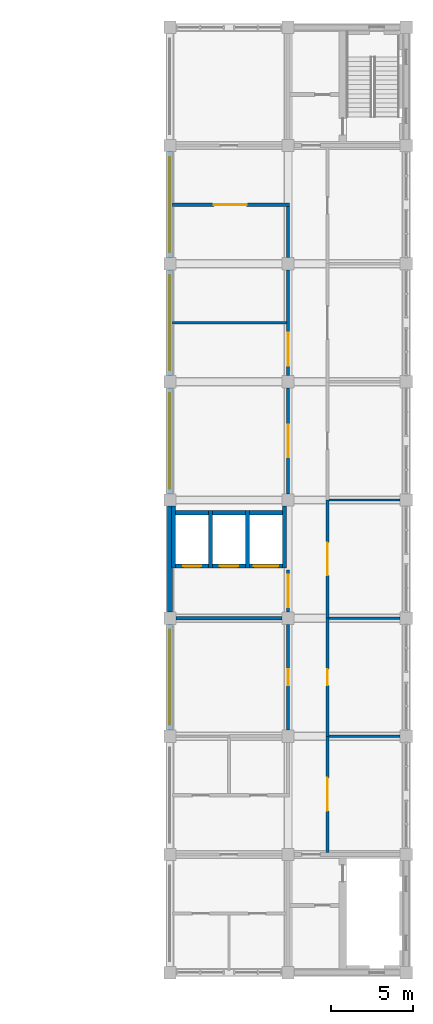
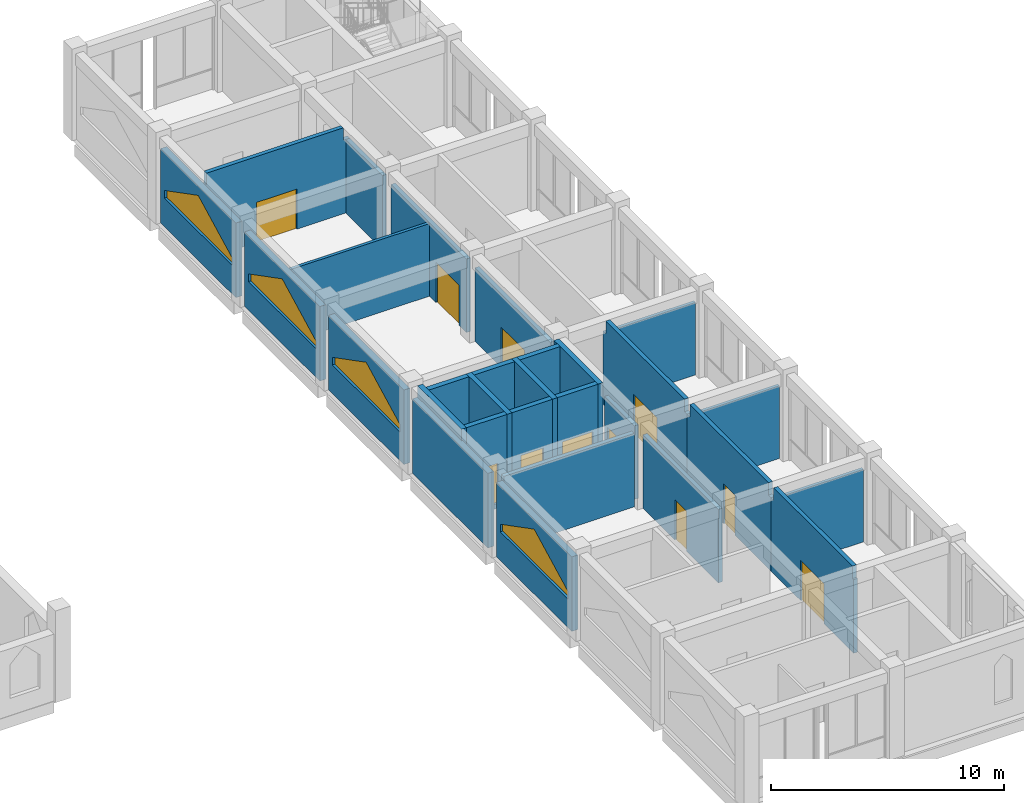
# One storey, part 34 of 39: 29 walls, 11 doors, 4 windows, 15 openings.
"""IFC4 building model written with IfcOpenShell, lengths in metres."""

from ifc_helpers import new_model, si_unit, direction, frame, frame_2d, origin, place, context, subcontext, project, spatial, polyline, rectangle, outline, extrude, material, layer, layer_set, type_object, element, fill, save


model = new_model("IFC4")

# Units and contexts
model_context = context("Model", 3, precision=1e-05, world=origin(), true_north=direction((0.0, 1.0)))
body_context = subcontext(model_context, "Body", "Model", "MODEL_VIEW")
ifc_project = project(units=[si_unit("LENGTHUNIT", "METRE"), si_unit("AREAUNIT", "SQUARE_METRE"), si_unit("VOLUMEUNIT", "CUBIC_METRE"), si_unit("PLANEANGLEUNIT", "RADIAN"), si_unit("MASSUNIT", "GRAM", prefix="KILO")], contexts=[model_context])

# Site, building, storey
site_placement = place(None, origin())
site = spatial("IfcSite", under=ifc_project, at=site_placement, CompositionType="ELEMENT")
building_placement = place(site_placement, origin())
building = spatial("IfcBuilding", under=site, at=building_placement, Name="Silangan Lancet Faculty of Sciences", CompositionType="ELEMENT")
storey_placement = place(building_placement, frame((0.0, 0.0, 26.39990234375)))
storey = spatial("IfcBuildingStorey", under=building, at=storey_placement, Name="L05", CompositionType="ELEMENT", Elevation=26.39990234375)

# Wall, opening, window
ifc_material_1 = material(Name="Concrete C40/50", Category="concrete")
ifc_layer_1 = layer(ifc_material_1, 0.300048828125)
ifc_layer_set_1 = layer_set([ifc_layer_1], Name="Concrete C40/50")
wall_type_1 = type_object("IfcWallType", Name="EW7 Rendered attic wall", PredefinedType="STANDARD", material=ifc_layer_set_1)
wall_1_placement = place(storey_placement, frame((72.0, 14.77490234375, 0.0), z_axis=(0.0, 0.0, 1.0), x_axis=(0.0, 1.0, 0.0)))
wall_1 = element("IfcWall", 1, at=wall_1_placement, inside=storey, type_object=wall_type_1, Name="EW-L05-W-EB-02", PredefinedType="STANDARD", context=body_context, shape_type="SweptSolid", body=[
    extrude(rectangle(XDim=6.4501953125, YDim=0.300048828125, at=frame_2d((3.22509765625, 0.0))), origin(), (0.0, 0.0, 1.0), 3.900146484375),
])
opening_1_placement = place(wall_1_placement, frame((0.324951171875, 0.0, 1.5)))
opening_1 = element("IfcOpeningElement", 2, at=opening_1_placement, cuts=wall_1, Name="Opening W16", PredefinedType="OPENING", context=body_context, shape_type="SweptSolid", body=[
    extrude(outline(polyline([(0.0, 0.0), (5.800048828125, 0.0), (5.800048828125, 0.39990234375), (2.89990234375, 1.89990234375), (0.0, 0.39990234375), (0.0, 0.0)])), frame((0.0, 0.159912109375, 0.0), z_axis=(0.0, -1.0, 0.0), x_axis=(1.0, 0.0, 0.0)), (0.0, 0.0, 1.0), 0.320068359375),
])
ifc_material_2 = material(Name="Aluminium frame, laminated double glazing", Category="aluminium")
window_type = type_object("IfcWindowType", Name="W16 Traceried bay window 5800 x 1900 on a 1500 sill", PartitioningType="TRIPLE_PANEL_VERTICAL", PredefinedType="WINDOW", material=ifc_material_2)
window_1_placement = place(opening_1_placement, origin())
window_1 = element("IfcWindow", 3, at=window_1_placement, inside=storey, type_object=window_type, Name="WIN-L05-W-EB-02a", OverallHeight=1.89990234375, OverallWidth=5.800048828125, PartitioningType="TRIPLE_PANEL_VERTICAL", PredefinedType="WINDOW", context=body_context, shape_type="SweptSolid", body=[
    extrude(outline(polyline([(0.0, 0.0), (5.800048828125, 0.0), (5.800048828125, 0.39990234375), (2.89990234375, 1.89990234375), (0.0, 0.39990234375), (0.0, 0.0)])), frame((0.0, 0.030029296875, 0.0), z_axis=(0.0, -1.0, 0.0), x_axis=(1.0, 0.0, 0.0)), (0.0, 0.0, 1.0), 0.06005859375),
])
fill(opening_1, window_1)

# Wall
wall_2_placement = place(storey_placement, frame((72.0, 21.97509765625, 0.0), z_axis=(0.0, 0.0, 1.0), x_axis=(0.0, 1.0, 0.0)))
element("IfcWall", 4, at=wall_2_placement, inside=storey, type_object=wall_type_1, Name="EW-L05-W-EB-03", PredefinedType="STANDARD", context=body_context, shape_type="SweptSolid", body=[
    extrude(rectangle(XDim=6.449951171875, YDim=0.300048828125, at=frame_2d((3.22509765625, 0.0))), origin(), (0.0, 0.0, 1.0), 3.900146484375),
])

# Wall, opening, window
wall_3_placement = place(storey_placement, frame((72.0, 29.175048828125, 0.0), z_axis=(0.0, 0.0, 1.0), x_axis=(0.0, 1.0, 0.0)))
wall_3 = element("IfcWall", 5, at=wall_3_placement, inside=storey, type_object=wall_type_1, Name="EW-L05-W-EB-04", PredefinedType="STANDARD", context=body_context, shape_type="SweptSolid", body=[
    extrude(rectangle(XDim=6.449951171875, YDim=0.300048828125, at=frame_2d((3.22509765625, 0.0))), origin(), (0.0, 0.0, 1.0), 3.900146484375),
])
opening_2_placement = place(wall_3_placement, frame((0.324951171875, 0.0, 1.5)))
opening_2 = element("IfcOpeningElement", 6, at=opening_2_placement, cuts=wall_3, Name="Opening W16", PredefinedType="OPENING", context=body_context, shape_type="SweptSolid", body=[
    extrude(outline(polyline([(0.0, 0.0), (5.800048828125, 0.0), (5.800048828125, 0.39990234375), (2.89990234375, 1.89990234375), (0.0, 0.39990234375), (0.0, 0.0)])), frame((0.0, 0.159912109375, 0.0), z_axis=(0.0, -1.0, 0.0), x_axis=(1.0, 0.0, 0.0)), (0.0, 0.0, 1.0), 0.320068359375),
])
window_2_placement = place(opening_2_placement, origin())
window_2 = element("IfcWindow", 7, at=window_2_placement, inside=storey, type_object=window_type, Name="WIN-L05-W-EB-04a", OverallHeight=1.89990234375, OverallWidth=5.800048828125, PartitioningType="TRIPLE_PANEL_VERTICAL", PredefinedType="WINDOW", context=body_context, shape_type="SweptSolid", body=[
    extrude(outline(polyline([(0.0, 0.0), (5.800048828125, 0.0), (5.800048828125, 0.39990234375), (2.89990234375, 1.89990234375), (0.0, 0.39990234375), (0.0, 0.0)])), frame((0.0, 0.030029296875, 0.0), z_axis=(0.0, -1.0, 0.0), x_axis=(1.0, 0.0, 0.0)), (0.0, 0.0, 1.0), 0.06005859375),
])
fill(opening_2, window_2)

wall_4_placement = place(storey_placement, frame((72.0, 36.375, 0.0), z_axis=(0.0, 0.0, 1.0), x_axis=(0.0, 1.0, 0.0)))
wall_4 = element("IfcWall", 8, at=wall_4_placement, inside=storey, type_object=wall_type_1, Name="EW-L05-W-EB-05", PredefinedType="STANDARD", context=body_context, shape_type="SweptSolid", body=[
    extrude(rectangle(XDim=6.449951171875, YDim=0.300048828125, at=frame_2d((3.22509765625, 0.0))), origin(), (0.0, 0.0, 1.0), 3.900146484375),
])
opening_3_placement = place(wall_4_placement, frame((0.324951171875, 0.0, 1.5)))
opening_3 = element("IfcOpeningElement", 9, at=opening_3_placement, cuts=wall_4, Name="Opening W16", PredefinedType="OPENING", context=body_context, shape_type="SweptSolid", body=[
    extrude(outline(polyline([(0.0, 0.0), (5.800048828125, 0.0), (5.800048828125, 0.39990234375), (2.89990234375, 1.89990234375), (0.0, 0.39990234375), (0.0, 0.0)])), frame((0.0, 0.159912109375, 0.0), z_axis=(0.0, -1.0, 0.0), x_axis=(1.0, 0.0, 0.0)), (0.0, 0.0, 1.0), 0.320068359375),
])
window_3_placement = place(opening_3_placement, origin())
window_3 = element("IfcWindow", 10, at=window_3_placement, inside=storey, type_object=window_type, Name="WIN-L05-W-EB-05a", OverallHeight=1.89990234375, OverallWidth=5.800048828125, PartitioningType="TRIPLE_PANEL_VERTICAL", PredefinedType="WINDOW", context=body_context, shape_type="SweptSolid", body=[
    extrude(outline(polyline([(0.0, 0.0), (5.800048828125, 0.0), (5.800048828125, 0.39990234375), (2.89990234375, 1.89990234375), (0.0, 0.39990234375), (0.0, 0.0)])), frame((0.0, 0.030029296875, 0.0), z_axis=(0.0, -1.0, 0.0), x_axis=(1.0, 0.0, 0.0)), (0.0, 0.0, 1.0), 0.06005859375),
])
fill(opening_3, window_3)

wall_5_placement = place(storey_placement, frame((72.0, 43.574951171875, 0.0), z_axis=(0.0, 0.0, 1.0), x_axis=(0.0, 1.0, 0.0)))
wall_5 = element("IfcWall", 11, at=wall_5_placement, inside=storey, type_object=wall_type_1, Name="EW-L05-W-EB-06", PredefinedType="STANDARD", context=body_context, shape_type="SweptSolid", body=[
    extrude(rectangle(XDim=6.449951171875, YDim=0.300048828125, at=frame_2d((3.22509765625, 0.0))), origin(), (0.0, 0.0, 1.0), 3.900146484375),
])
opening_4_placement = place(wall_5_placement, frame((0.324951171875, 0.0, 1.5)))
opening_4 = element("IfcOpeningElement", 12, at=opening_4_placement, cuts=wall_5, Name="Opening W16", PredefinedType="OPENING", context=body_context, shape_type="SweptSolid", body=[
    extrude(outline(polyline([(0.0, 0.0), (5.800048828125, 0.0), (5.800048828125, 0.39990234375), (2.89990234375, 1.89990234375), (0.0, 0.39990234375), (0.0, 0.0)])), frame((0.0, 0.159912109375, 0.0), z_axis=(0.0, -1.0, 0.0), x_axis=(1.0, 0.0, 0.0)), (0.0, 0.0, 1.0), 0.320068359375),
])
window_4_placement = place(opening_4_placement, origin())
window_4 = element("IfcWindow", 13, at=window_4_placement, inside=storey, type_object=window_type, Name="WIN-L05-W-EB-06a", OverallHeight=1.89990234375, OverallWidth=5.800048828125, PartitioningType="TRIPLE_PANEL_VERTICAL", PredefinedType="WINDOW", context=body_context, shape_type="SweptSolid", body=[
    extrude(outline(polyline([(0.0, 0.0), (5.800048828125, 0.0), (5.800048828125, 0.39990234375), (2.89990234375, 1.89990234375), (0.0, 0.39990234375), (0.0, 0.0)])), frame((0.0, 0.030029296875, 0.0), z_axis=(0.0, -1.0, 0.0), x_axis=(1.0, 0.0, 0.0)), (0.0, 0.0, 1.0), 0.06005859375),
])
fill(opening_4, window_4)

# Wall, opening, door
ifc_material_3 = material(Name="Hollow block masonry fm 7 MPa", Category="masonry")
ifc_layer_2 = layer(ifc_material_3, 0.199951171875)
ifc_layer_set_2 = layer_set([ifc_layer_2], Name="Hollow block masonry fm 7 MPa")
wall_type_2 = type_object("IfcWallType", Name="Interior wall PW1 Corridor wall CHB 200", PredefinedType="PARTITIONING", material=ifc_layer_set_2)
wall_6_placement = place(storey_placement, frame((72.14990234375, 46.800048828125, 0.0), z_axis=(0.0, 0.0, 1.0), x_axis=(1.0, 0.0, 0.0)))
wall_6 = element("IfcWall", 14, at=wall_6_placement, inside=storey, type_object=wall_type_2, Name="Corridor wall CHB 200", PredefinedType="PARTITIONING", context=body_context, shape_type="SweptSolid", body=[
    extrude(outline(polyline([(0.0, 0.0), (7.150146484375, 0.0), (7.150146484375, 3.85009765625), (6.8251953125, 3.85009765625), (6.8251953125, 4.5), (0.050048828125, 4.5), (0.050048828125, 3.900146484375), (0.0, 3.900146484375), (0.0, 0.0)])), frame((0.0, 0.10009765625, 0.0), z_axis=(0.0, -1.0, 0.0), x_axis=(1.0, 0.0, 0.0)), (0.0, 0.0, 1.0), 0.199951171875),
])
opening_5_placement = place(wall_6_placement, frame((2.525146484375, 0.0, 0.0)))
opening_5 = element("IfcOpeningElement", 15, at=opening_5_placement, cuts=wall_6, Name="Opening L05-040", PredefinedType="OPENING", context=body_context, shape_type="SweptSolid", body=[
    extrude(rectangle(XDim=2.0, YDim=2.10009765625, at=frame_2d((1.0, 1.050048828125))), frame((0.0, 0.10986328125, 0.0), z_axis=(0.0, -1.0, 0.0), x_axis=(1.0, 0.0, 0.0)), (0.0, 0.0, 1.0), 0.219970703125),
])
ifc_material_4 = material(Name="Steel fire door set", Category="steel")
door_type_1 = type_object("IfcDoorType", Name="Door D4 Double leaf fire door 2000 x 2100", OperationType="DOUBLE_DOOR_SINGLE_SWING", PredefinedType="DOOR", material=ifc_material_4)
door_1_placement = place(opening_5_placement, origin())
door_1 = element("IfcDoor", 16, at=door_1_placement, inside=storey, type_object=door_type_1, Name="Double leaf fire door 2000 x 2100", OperationType="DOUBLE_DOOR_SINGLE_SWING", OverallHeight=2.10009765625, OverallWidth=2.0, PredefinedType="DOOR", context=body_context, shape_type="SweptSolid", body=[
    extrude(rectangle(XDim=2.0, YDim=2.10009765625, at=frame_2d((1.0, 1.050048828125))), frame((0.0, 0.02490234375, 0.0), z_axis=(0.0, -1.0, 0.0), x_axis=(1.0, 0.0, 0.0)), (0.0, 0.0, 1.0), 0.050048828125),
])
fill(opening_5, door_1)

wall_7_placement = place(storey_placement, frame((79.199951171875, 14.77490234375, 0.0), z_axis=(0.0, 0.0, 1.0), x_axis=(0.0, 1.0, 0.0)))
wall_7 = element("IfcWall", 17, at=wall_7_placement, inside=storey, type_object=wall_type_2, Name="Corridor wall CHB 200", PredefinedType="PARTITIONING", context=body_context, shape_type="SweptSolid", body=[
    extrude(rectangle(XDim=6.4501953125, YDim=0.199951171875, at=frame_2d((3.22509765625, 0.0))), origin(), (0.0, 0.0, 1.0), 3.85009765625),
])
opening_6_placement = place(wall_7_placement, frame((2.72509765625, 0.0, 0.0)))
opening_6 = element("IfcOpeningElement", 18, at=opening_6_placement, cuts=wall_7, Name="Opening L05-037", PredefinedType="OPENING", context=body_context, shape_type="SweptSolid", body=[
    extrude(rectangle(XDim=1.0, YDim=2.10009765625, at=frame_2d((0.5, 1.050048828125))), frame((0.0, 0.10986328125, 0.0), z_axis=(0.0, -1.0, 0.0), x_axis=(1.0, 0.0, 0.0)), (0.0, 0.0, 1.0), 0.219970703125),
])
ifc_material_5 = material(Name="Steel fire door set", Category="steel")
door_type_2 = type_object("IfcDoorType", Name="Door D1 Single leaf fire door 1000 x 2100", OperationType="SINGLE_SWING_LEFT", PredefinedType="DOOR", material=ifc_material_5)
door_2_placement = place(opening_6_placement, origin())
door_2 = element("IfcDoor", 19, at=door_2_placement, inside=storey, type_object=door_type_2, Name="Single leaf fire door 1000 x 2100", OperationType="SINGLE_SWING_RIGHT", OverallHeight=2.10009765625, OverallWidth=1.0, PredefinedType="DOOR", context=body_context, shape_type="SweptSolid", body=[
    extrude(rectangle(XDim=1.0, YDim=2.10009765625, at=frame_2d((0.5, 1.050048828125))), frame((0.0, 0.02490234375, 0.0), z_axis=(0.0, -1.0, 0.0), x_axis=(1.0, 0.0, 0.0)), (0.0, 0.0, 1.0), 0.050048828125),
])
fill(opening_6, door_2)

wall_8_placement = place(storey_placement, frame((79.199951171875, 29.175048828125, 0.0), z_axis=(0.0, 0.0, 1.0), x_axis=(0.0, 1.0, 0.0)))
wall_8 = element("IfcWall", 20, at=wall_8_placement, inside=storey, type_object=wall_type_2, Name="Corridor wall CHB 200", PredefinedType="PARTITIONING", context=body_context, shape_type="SweptSolid", body=[
    extrude(rectangle(XDim=6.449951171875, YDim=0.199951171875, at=frame_2d((3.22509765625, 0.0))), origin(), (0.0, 0.0, 1.0), 3.85009765625),
])
opening_7_placement = place(wall_8_placement, frame((2.22509765625, 0.0, 0.0)))
opening_7 = element("IfcOpeningElement", 21, at=opening_7_placement, cuts=wall_8, Name="Opening L05-038", PredefinedType="OPENING", context=body_context, shape_type="SweptSolid", body=[
    extrude(rectangle(XDim=2.0, YDim=2.10009765625, at=frame_2d((1.0, 1.050048828125))), frame((0.0, 0.10986328125, 0.0), z_axis=(0.0, -1.0, 0.0), x_axis=(1.0, 0.0, 0.0)), (0.0, 0.0, 1.0), 0.219970703125),
])
door_3_placement = place(opening_7_placement, origin())
door_3 = element("IfcDoor", 22, at=door_3_placement, inside=storey, type_object=door_type_1, Name="Double leaf fire door 2000 x 2100", OperationType="DOUBLE_DOOR_SINGLE_SWING", OverallHeight=2.10009765625, OverallWidth=2.0, PredefinedType="DOOR", context=body_context, shape_type="SweptSolid", body=[
    extrude(rectangle(XDim=2.0, YDim=2.10009765625, at=frame_2d((1.0, 1.050048828125))), frame((0.0, 0.02490234375, 0.0), z_axis=(0.0, -1.0, 0.0), x_axis=(1.0, 0.0, 0.0)), (0.0, 0.0, 1.0), 0.050048828125),
])
fill(opening_7, door_3)

wall_9_placement = place(storey_placement, frame((79.199951171875, 36.375, 0.0), z_axis=(0.0, 0.0, 1.0), x_axis=(0.0, 1.0, 0.0)))
wall_9 = element("IfcWall", 23, at=wall_9_placement, inside=storey, type_object=wall_type_2, Name="Corridor wall CHB 200", PredefinedType="PARTITIONING", context=body_context, shape_type="SweptSolid", body=[
    extrude(rectangle(XDim=6.449951171875, YDim=0.199951171875, at=frame_2d((3.22509765625, 0.0))), origin(), (0.0, 0.0, 1.0), 3.85009765625),
])
opening_8_placement = place(wall_9_placement, frame((0.612548828125, 0.0, 0.0)))
opening_8 = element("IfcOpeningElement", 24, at=opening_8_placement, cuts=wall_9, Name="Opening L05-039", PredefinedType="OPENING", context=body_context, shape_type="SweptSolid", body=[
    extrude(rectangle(XDim=2.0, YDim=2.10009765625, at=frame_2d((1.0, 1.050048828125))), frame((0.0, 0.10986328125, 0.0), z_axis=(0.0, -1.0, 0.0), x_axis=(1.0, 0.0, 0.0)), (0.0, 0.0, 1.0), 0.219970703125),
])
door_4_placement = place(opening_8_placement, origin())
door_4 = element("IfcDoor", 25, at=door_4_placement, inside=storey, type_object=door_type_1, Name="Double leaf fire door 2000 x 2100", OperationType="DOUBLE_DOOR_SINGLE_SWING", OverallHeight=2.10009765625, OverallWidth=2.0, PredefinedType="DOOR", context=body_context, shape_type="SweptSolid", body=[
    extrude(rectangle(XDim=2.0, YDim=2.10009765625, at=frame_2d((1.0, 1.050048828125))), frame((0.0, 0.02490234375, 0.0), z_axis=(0.0, -1.0, 0.0), x_axis=(1.0, 0.0, 0.0)), (0.0, 0.0, 1.0), 0.050048828125),
])
fill(opening_8, door_4)

# Wall
wall_10_placement = place(storey_placement, frame((79.199951171875, 43.574951171875, 0.0), z_axis=(0.0, 0.0, 1.0), x_axis=(0.0, 1.0, 0.0)))
element("IfcWall", 26, at=wall_10_placement, inside=storey, type_object=wall_type_2, Name="Corridor wall CHB 200", PredefinedType="PARTITIONING", context=body_context, shape_type="SweptSolid", body=[
    extrude(rectangle(XDim=3.125, YDim=0.199951171875, at=frame_2d((1.5625, 0.0))), origin(), (0.0, 0.0, 1.0), 3.85009765625),
])

# Wall, opening, door
wall_11_placement = place(storey_placement, frame((81.60009765625, 7.324951171875, 0.0), z_axis=(0.0, 0.0, 1.0), x_axis=(0.0, 1.0, 0.0)))
wall_11 = element("IfcWall", 27, at=wall_11_placement, inside=storey, type_object=wall_type_2, Name="Corridor wall CHB 200", PredefinedType="PARTITIONING", context=body_context, shape_type="SweptSolid", body=[
    extrude(outline(polyline([(0.0, 0.0), (7.074951171875, 0.0), (7.074951171875, 3.85009765625), (6.85009765625, 3.85009765625), (6.85009765625, 4.5), (0.10009765625, 4.5), (0.10009765625, 3.85009765625), (0.0, 3.85009765625), (0.0, 0.0)])), frame((0.0, 0.10009765625, 0.0), z_axis=(0.0, -1.0, 0.0), x_axis=(1.0, 0.0, 0.0)), (0.0, 0.0, 1.0), 0.199951171875),
])
opening_9_placement = place(wall_11_placement, frame((2.537353515625, 0.0, 0.0)))
opening_9 = element("IfcOpeningElement", 28, at=opening_9_placement, cuts=wall_11, Name="Opening L05-042", PredefinedType="OPENING", context=body_context, shape_type="SweptSolid", body=[
    extrude(rectangle(XDim=2.0, YDim=2.10009765625, at=frame_2d((1.0, 1.050048828125))), frame((0.0, 0.10986328125, 0.0), z_axis=(0.0, -1.0, 0.0), x_axis=(1.0, 0.0, 0.0)), (0.0, 0.0, 1.0), 0.219970703125),
])
door_5_placement = place(opening_9_placement, origin())
door_5 = element("IfcDoor", 29, at=door_5_placement, inside=storey, type_object=door_type_1, Name="Double leaf fire door 2000 x 2100", OperationType="DOUBLE_DOOR_SINGLE_SWING", OverallHeight=2.10009765625, OverallWidth=2.0, PredefinedType="DOOR", context=body_context, shape_type="SweptSolid", body=[
    extrude(rectangle(XDim=2.0, YDim=2.10009765625, at=frame_2d((1.0, 1.050048828125))), frame((0.0, 0.02490234375, 0.0), z_axis=(0.0, -1.0, 0.0), x_axis=(1.0, 0.0, 0.0)), (0.0, 0.0, 1.0), 0.050048828125),
])
fill(opening_9, door_5)

wall_12_placement = place(storey_placement, frame((81.60009765625, 14.39990234375, 0.0), z_axis=(0.0, 0.0, 1.0), x_axis=(0.0, 1.0, 0.0)))
wall_12 = element("IfcWall", 30, at=wall_12_placement, inside=storey, type_object=wall_type_2, Name="Corridor wall CHB 200", PredefinedType="PARTITIONING", context=body_context, shape_type="SweptSolid", body=[
    extrude(outline(polyline([(0.0, 0.0), (7.2001953125, 0.0), (7.2001953125, 3.85009765625), (6.97509765625, 3.85009765625), (6.97509765625, 4.5), (0.22509765625, 4.5), (0.22509765625, 3.85009765625), (0.0, 3.85009765625), (0.0, 0.0)])), frame((0.0, 0.10009765625, 0.0), z_axis=(0.0, -1.0, 0.0), x_axis=(1.0, 0.0, 0.0)), (0.0, 0.0, 1.0), 0.199951171875),
])
opening_10_placement = place(wall_12_placement, frame((3.10009765625, 0.0, 0.0)))
opening_10 = element("IfcOpeningElement", 31, at=opening_10_placement, cuts=wall_12, Name="Opening L05-043", PredefinedType="OPENING", context=body_context, shape_type="SweptSolid", body=[
    extrude(rectangle(XDim=1.0, YDim=2.10009765625, at=frame_2d((0.5, 1.050048828125))), frame((0.0, 0.10986328125, 0.0), z_axis=(0.0, -1.0, 0.0), x_axis=(1.0, 0.0, 0.0)), (0.0, 0.0, 1.0), 0.219970703125),
])
door_6_placement = place(opening_10_placement, frame((1.0, 0.0, 0.0), z_axis=(0.0, 0.0, 1.0), x_axis=(-1.0, 0.0, 0.0)))
door_6 = element("IfcDoor", 32, at=door_6_placement, inside=storey, type_object=door_type_2, Name="Single leaf fire door 1000 x 2100", OperationType="SINGLE_SWING_LEFT", OverallHeight=2.10009765625, OverallWidth=1.0, PredefinedType="DOOR", context=body_context, shape_type="SweptSolid", body=[
    extrude(rectangle(XDim=1.0, YDim=2.10009765625, at=frame_2d((0.5, 1.050048828125))), frame((0.0, 0.025146484375, 0.0), z_axis=(0.0, -1.0, 0.0), x_axis=(1.0, 0.0, 0.0)), (0.0, 0.0, 1.0), 0.050048828125),
])
fill(opening_10, door_6)

wall_13_placement = place(storey_placement, frame((81.60009765625, 21.60009765625, 0.0), z_axis=(0.0, 0.0, 1.0), x_axis=(0.0, 1.0, 0.0)))
wall_13 = element("IfcWall", 33, at=wall_13_placement, inside=storey, type_object=wall_type_2, Name="Corridor wall CHB 200", PredefinedType="PARTITIONING", context=body_context, shape_type="SweptSolid", body=[
    extrude(outline(polyline([(0.0, 0.0), (7.199951171875, 0.0), (7.199951171875, 3.85009765625), (6.974853515625, 3.85009765625), (6.974853515625, 4.5), (0.224853515625, 4.5), (0.224853515625, 3.85009765625), (0.0, 3.85009765625), (0.0, 0.0)])), frame((0.0, 0.10009765625, 0.0), z_axis=(0.0, -1.0, 0.0), x_axis=(1.0, 0.0, 0.0)), (0.0, 0.0, 1.0), 0.199951171875),
])
opening_11_placement = place(wall_13_placement, frame((2.599853515625, 0.0, 0.0)))
opening_11 = element("IfcOpeningElement", 34, at=opening_11_placement, cuts=wall_13, Name="Opening L05-044", PredefinedType="OPENING", context=body_context, shape_type="SweptSolid", body=[
    extrude(rectangle(XDim=2.0, YDim=2.10009765625, at=frame_2d((1.0, 1.050048828125))), frame((0.0, 0.10986328125, 0.0), z_axis=(0.0, -1.0, 0.0), x_axis=(1.0, 0.0, 0.0)), (0.0, 0.0, 1.0), 0.219970703125),
])
door_7_placement = place(opening_11_placement, origin())
door_7 = element("IfcDoor", 35, at=door_7_placement, inside=storey, type_object=door_type_1, Name="Double leaf fire door 2000 x 2100", OperationType="DOUBLE_DOOR_SINGLE_SWING", OverallHeight=2.10009765625, OverallWidth=2.0, PredefinedType="DOOR", context=body_context, shape_type="SweptSolid", body=[
    extrude(rectangle(XDim=2.0, YDim=2.10009765625, at=frame_2d((1.0, 1.050048828125))), frame((0.0, 0.02490234375, 0.0), z_axis=(0.0, -1.0, 0.0), x_axis=(1.0, 0.0, 0.0)), (0.0, 0.0, 1.0), 0.050048828125),
])
fill(opening_11, door_7)

# Walls
ifc_material_6 = material(Name="Hollow block masonry fm 7 MPa", Category="masonry")
ifc_layer_3 = layer(ifc_material_6, 0.14990234375)
ifc_layer_set_3 = layer_set([ifc_layer_3], Name="Hollow block masonry fm 7 MPa")
wall_type_3 = type_object("IfcWallType", Name="Interior wall PW3 Partition CHB 150", PredefinedType="PARTITIONING", material=ifc_layer_set_3)
for number, where, z_axis, x_axis, name in (
    (36, (81.699951171875, 14.39990234375, 0.0), (0.0, 0.0, 1.0), (1.0, 0.0, 0.0), "Partition CHB 150"),
    (37, (81.699951171875, 21.60009765625, 0.0), (0.0, 0.0, 1.0), (1.0, 0.0, 0.0), "Partition CHB 150"),
    (38, (81.699951171875, 28.800048828125, 0.0), (0.0, 0.0, 1.0), (1.0, 0.0, 0.0), "Partition CHB 150"),
):
    element("IfcWall", number, at=place(storey_placement, frame(where, z_axis=z_axis, x_axis=x_axis)), inside=storey, type_object=wall_type_3, Name=name, PredefinedType="PARTITIONING", context=body_context, shape_type="SweptSolid", body=[
        extrude(rectangle(XDim=4.324951171875, YDim=0.14990234375, at=frame_2d((2.16259765625, 0.0))), origin(), (0.0, 0.0, 1.0), 3.800048828125),
    ])
wall_14_placement = place(storey_placement, frame((72.14990234375, 39.60009765625, 0.0), z_axis=(0.0, 0.0, 1.0), x_axis=(1.0, 0.0, 0.0)))
element("IfcWall", 39, at=wall_14_placement, inside=storey, type_object=wall_type_3, Name="Partition CHB 150", PredefinedType="PARTITIONING", context=body_context, shape_type="SweptSolid", body=[
    extrude(rectangle(XDim=6.9501953125, YDim=0.14990234375, at=frame_2d((3.47509765625, 0.0))), origin(), (0.0, 0.0, 1.0), 3.800048828125),
])
ifc_material_7 = material(Name="Hollow block masonry fm 7 MPa", Category="masonry")
ifc_layer_4 = layer(ifc_material_7, 0.199951171875)
ifc_layer_set_4 = layer_set([ifc_layer_4], Name="Hollow block masonry fm 7 MPa")
wall_type_4 = type_object("IfcWallType", Name="Interior wall PW9 Lift lobby wall CHB 200", PredefinedType="PARTITIONING", material=ifc_layer_set_4)
wall_15_placement = place(storey_placement, frame((72.375, 21.60009765625, 0.0), z_axis=(0.0, 0.0, 1.0), x_axis=(1.0, 0.0, 0.0)))
element("IfcWall", 40, at=wall_15_placement, inside=storey, type_object=wall_type_4, Name="Lift lobby wall CHB 200", PredefinedType="PARTITIONING", context=body_context, shape_type="SweptSolid", body=[
    extrude(rectangle(XDim=6.449951171875, YDim=0.199951171875, at=frame_2d((3.22509765625, 0.0))), origin(), (0.0, 0.0, 1.0), 3.85009765625),
])

# Wall, opening, door
wall_16_placement = place(storey_placement, frame((79.199951171875, 21.97509765625, 0.0), z_axis=(0.0, 0.0, 1.0), x_axis=(0.0, 1.0, 0.0)))
wall_16 = element("IfcWall", 41, at=wall_16_placement, inside=storey, type_object=wall_type_4, Name="Lift lobby wall CHB 200", PredefinedType="PARTITIONING", context=body_context, shape_type="SweptSolid", body=[
    extrude(rectangle(XDim=2.5498046875, YDim=0.199951171875, at=frame_2d((1.27490234375, 0.0))), origin(), (0.0, 0.0, 1.0), 3.85009765625),
])
opening_12_placement = place(wall_16_placement, frame((0.27490234375, 0.0, 0.0)))
opening_12 = element("IfcOpeningElement", 42, at=opening_12_placement, cuts=wall_16, Name="Opening L05-007", PredefinedType="OPENING", context=body_context, shape_type="SweptSolid", body=[
    extrude(rectangle(XDim=2.0, YDim=2.39990234375, at=frame_2d((1.0, 1.199951171875))), frame((0.0, 0.10986328125, 0.0), z_axis=(0.0, -1.0, 0.0), x_axis=(1.0, 0.0, 0.0)), (0.0, 0.0, 1.0), 0.219970703125),
])
ifc_material_8 = material(Name="Steel fire door set", Category="steel")
door_type_3 = type_object("IfcDoorType", Name="Door D5 Lift lobby double fire door 2000 x 2400", OperationType="DOUBLE_DOOR_SINGLE_SWING", PredefinedType="DOOR", material=ifc_material_8)
door_8_placement = place(opening_12_placement, origin())
door_8 = element("IfcDoor", 43, at=door_8_placement, inside=storey, type_object=door_type_3, Name="Lift lobby double fire door 2000 x 2400", OperationType="DOUBLE_DOOR_SINGLE_SWING", OverallHeight=2.39990234375, OverallWidth=2.0, PredefinedType="DOOR", context=body_context, shape_type="SweptSolid", body=[
    extrude(rectangle(XDim=2.0, YDim=2.39990234375, at=frame_2d((1.0, 1.199951171875))), frame((0.0, 0.02490234375, 0.0), z_axis=(0.0, -1.0, 0.0), x_axis=(1.0, 0.0, 0.0)), (0.0, 0.0, 1.0), 0.050048828125),
])
fill(opening_12, door_8)

# Walls
ifc_material_9 = material(Name="Concrete C40/50", Category="concrete")
ifc_layer_5 = layer(ifc_material_9, 0.25)
ifc_layer_set_5 = layer_set([ifc_layer_5], Name="Concrete C40/50")
wall_type_5 = type_object("IfcWallType", Name="LIFT SHAFT WALL RC 250", PredefinedType="SHEAR", material=ifc_layer_set_5)
wall_17_placement = place(storey_placement, frame((72.22509765625, 24.64990234375, -0.25), z_axis=(0.0, 0.0, 1.0), x_axis=(0.0, 1.0, 0.0)))
element("IfcWall", 44, at=wall_17_placement, inside=storey, type_object=wall_type_5, Name="WALL-L05-EB-SW1", PredefinedType="SHEAR", context=body_context, shape_type="SweptSolid", body=[
    extrude(rectangle(XDim=3.775146484375, YDim=0.25, at=frame_2d((1.8876953125, 0.0))), origin(), (0.0, 0.0, 1.0), 4.75),
])
for number, where, z_axis, x_axis, name in (
    (45, (74.47509765625, 24.64990234375, -0.25), (0.0, 0.0, 1.0), (0.0, 1.0, 0.0), "WALL-L05-EB-SW2"),
    (46, (76.72509765625, 24.64990234375, -0.25), (0.0, 0.0, 1.0), (0.0, 1.0, 0.0), "WALL-L05-EB-SW3"),
):
    element("IfcWall", number, at=place(storey_placement, frame(where, z_axis=z_axis, x_axis=x_axis)), inside=storey, type_object=wall_type_5, Name=name, PredefinedType="SHEAR", context=body_context, shape_type="SweptSolid", body=[
        extrude(rectangle(XDim=3.5, YDim=0.25, at=frame_2d((1.75, 0.0))), origin(), (0.0, 0.0, 1.0), 4.75),
    ])
wall_18_placement = place(storey_placement, frame((78.97509765625, 24.64990234375, -0.25), z_axis=(0.0, 0.0, 1.0), x_axis=(0.0, 1.0, 0.0)))
element("IfcWall", 47, at=wall_18_placement, inside=storey, type_object=wall_type_5, Name="WALL-L05-EB-SW4", PredefinedType="SHEAR", context=body_context, shape_type="SweptSolid", body=[
    extrude(rectangle(XDim=3.775146484375, YDim=0.25, at=frame_2d((1.8876953125, 0.0))), origin(), (0.0, 0.0, 1.0), 4.75),
])

# Wall, opening, door
wall_19_placement = place(storey_placement, frame((72.35009765625, 24.77490234375, -0.25), z_axis=(0.0, 0.0, 1.0), x_axis=(1.0, 0.0, 0.0)))
wall_19 = element("IfcWall", 48, at=wall_19_placement, inside=storey, type_object=wall_type_5, Name="WALL-L05-EB-L1-F", PredefinedType="SHEAR", context=body_context, shape_type="SweptSolid", body=[
    extrude(rectangle(XDim=2.0, YDim=0.25, at=frame_2d((1.0, 0.0))), origin(), (0.0, 0.0, 1.0), 4.75),
])
opening_13_placement = place(wall_19_placement, frame((0.449951171875, 0.0, 0.25)))
opening_13 = element("IfcOpeningElement", 49, at=opening_13_placement, cuts=wall_19, Name="Opening L05-801", PredefinedType="OPENING", context=body_context, shape_type="SweptSolid", body=[
    extrude(rectangle(XDim=1.10009765625, YDim=2.10009765625, at=frame_2d((0.550048828125, 1.050048828125))), frame((0.0, 0.135009765625, 0.0), z_axis=(0.0, -1.0, 0.0), x_axis=(1.0, 0.0, 0.0)), (0.0, 0.0, 1.0), 0.27001953125),
])
ifc_material_10 = material(Name="Stainless steel sliding door", Category="steel")
door_type_4 = type_object("IfcDoorType", Name="LD1 Lift landing door 1100x2100", OperationType="SLIDING_TO_LEFT", PredefinedType="DOOR", material=ifc_material_10)
door_9_placement = place(opening_13_placement, origin())
door_9 = element("IfcDoor", 50, at=door_9_placement, inside=storey, type_object=door_type_4, Name="Landing door EB-L1 L05", OperationType="SLIDING_TO_LEFT", OverallHeight=2.10009765625, OverallWidth=1.10009765625, PredefinedType="DOOR", context=body_context, shape_type="SweptSolid", body=[
    extrude(rectangle(XDim=1.10009765625, YDim=2.10009765625, at=frame_2d((0.550048828125, 1.050048828125))), frame((0.0, 0.02490234375, 0.0), z_axis=(0.0, -1.0, 0.0), x_axis=(1.0, 0.0, 0.0)), (0.0, 0.0, 1.0), 0.050048828125),
])
fill(opening_13, door_9)

# Wall
wall_20_placement = place(storey_placement, frame((72.35009765625, 28.02490234375, -0.25), z_axis=(0.0, 0.0, 1.0), x_axis=(1.0, 0.0, 0.0)))
element("IfcWall", 51, at=wall_20_placement, inside=storey, type_object=wall_type_5, Name="WALL-L05-EB-L1-B", PredefinedType="SHEAR", context=body_context, shape_type="SweptSolid", body=[
    extrude(rectangle(XDim=2.0, YDim=0.25, at=frame_2d((1.0, 0.0))), origin(), (0.0, 0.0, 1.0), 4.75),
])

# Wall, opening, door
wall_21_placement = place(storey_placement, frame((74.60009765625, 24.77490234375, -0.25), z_axis=(0.0, 0.0, 1.0), x_axis=(1.0, 0.0, 0.0)))
wall_21 = element("IfcWall", 52, at=wall_21_placement, inside=storey, type_object=wall_type_5, Name="WALL-L05-EB-L2-F", PredefinedType="SHEAR", context=body_context, shape_type="SweptSolid", body=[
    extrude(rectangle(XDim=2.0, YDim=0.25, at=frame_2d((1.0, 0.0))), origin(), (0.0, 0.0, 1.0), 4.75),
])
opening_14_placement = place(wall_21_placement, frame((0.449951171875, 0.0, 0.25)))
opening_14 = element("IfcOpeningElement", 53, at=opening_14_placement, cuts=wall_21, Name="Opening L05-802", PredefinedType="OPENING", context=body_context, shape_type="SweptSolid", body=[
    extrude(rectangle(XDim=1.10009765625, YDim=2.10009765625, at=frame_2d((0.550048828125, 1.050048828125))), frame((0.0, 0.135009765625, 0.0), z_axis=(0.0, -1.0, 0.0), x_axis=(1.0, 0.0, 0.0)), (0.0, 0.0, 1.0), 0.27001953125),
])
door_10_placement = place(opening_14_placement, origin())
door_10 = element("IfcDoor", 54, at=door_10_placement, inside=storey, type_object=door_type_4, Name="Landing door EB-L2 L05", OperationType="SLIDING_TO_LEFT", OverallHeight=2.10009765625, OverallWidth=1.10009765625, PredefinedType="DOOR", context=body_context, shape_type="SweptSolid", body=[
    extrude(rectangle(XDim=1.10009765625, YDim=2.10009765625, at=frame_2d((0.550048828125, 1.050048828125))), frame((0.0, 0.02490234375, 0.0), z_axis=(0.0, -1.0, 0.0), x_axis=(1.0, 0.0, 0.0)), (0.0, 0.0, 1.0), 0.050048828125),
])
fill(opening_14, door_10)

# Wall
wall_22_placement = place(storey_placement, frame((74.60009765625, 28.02490234375, -0.25), z_axis=(0.0, 0.0, 1.0), x_axis=(1.0, 0.0, 0.0)))
element("IfcWall", 55, at=wall_22_placement, inside=storey, type_object=wall_type_5, Name="WALL-L05-EB-L2-B", PredefinedType="SHEAR", context=body_context, shape_type="SweptSolid", body=[
    extrude(rectangle(XDim=2.0, YDim=0.25, at=frame_2d((1.0, 0.0))), origin(), (0.0, 0.0, 1.0), 4.75),
])

# Wall, opening, door
wall_23_placement = place(storey_placement, frame((76.85009765625, 24.77490234375, -0.25), z_axis=(0.0, 0.0, 1.0), x_axis=(1.0, 0.0, 0.0)))
wall_23 = element("IfcWall", 56, at=wall_23_placement, inside=storey, type_object=wall_type_5, Name="WALL-L05-EB-L3-F", PredefinedType="SHEAR", context=body_context, shape_type="SweptSolid", body=[
    extrude(rectangle(XDim=2.0, YDim=0.25, at=frame_2d((1.0, 0.0))), origin(), (0.0, 0.0, 1.0), 4.75),
])
opening_15_placement = place(wall_23_placement, frame((0.25, 0.0, 0.25)))
opening_15 = element("IfcOpeningElement", 57, at=opening_15_placement, cuts=wall_23, Name="Opening L05-803", PredefinedType="OPENING", context=body_context, shape_type="SweptSolid", body=[
    extrude(rectangle(XDim=1.5, YDim=2.10009765625, at=frame_2d((0.75, 1.050048828125))), frame((0.0, 0.135009765625, 0.0), z_axis=(0.0, -1.0, 0.0), x_axis=(1.0, 0.0, 0.0)), (0.0, 0.0, 1.0), 0.27001953125),
])
ifc_material_11 = material(Name="Steel sliding door", Category="steel")
door_type_5 = type_object("IfcDoorType", Name="LD2 Lift landing door 1500x2100", OperationType="SLIDING_TO_LEFT", PredefinedType="DOOR", material=ifc_material_11)
door_11_placement = place(opening_15_placement, origin())
door_11 = element("IfcDoor", 58, at=door_11_placement, inside=storey, type_object=door_type_5, Name="Landing door EB-L3 L05", OperationType="SLIDING_TO_LEFT", OverallHeight=2.10009765625, OverallWidth=1.5, PredefinedType="DOOR", context=body_context, shape_type="SweptSolid", body=[
    extrude(rectangle(XDim=1.5, YDim=2.10009765625, at=frame_2d((0.75, 1.050048828125))), frame((0.0, 0.02490234375, 0.0), z_axis=(0.0, -1.0, 0.0), x_axis=(1.0, 0.0, 0.0)), (0.0, 0.0, 1.0), 0.050048828125),
])
fill(opening_15, door_11)

# Wall
wall_24_placement = place(storey_placement, frame((76.85009765625, 28.02490234375, -0.25), z_axis=(0.0, 0.0, 1.0), x_axis=(1.0, 0.0, 0.0)))
element("IfcWall", 59, at=wall_24_placement, inside=storey, type_object=wall_type_5, Name="WALL-L05-EB-L3-B", PredefinedType="SHEAR", context=body_context, shape_type="SweptSolid", body=[
    extrude(rectangle(XDim=2.0, YDim=0.25, at=frame_2d((1.0, 0.0))), origin(), (0.0, 0.0, 1.0), 4.75),
])

save(model, "model.ifc")
